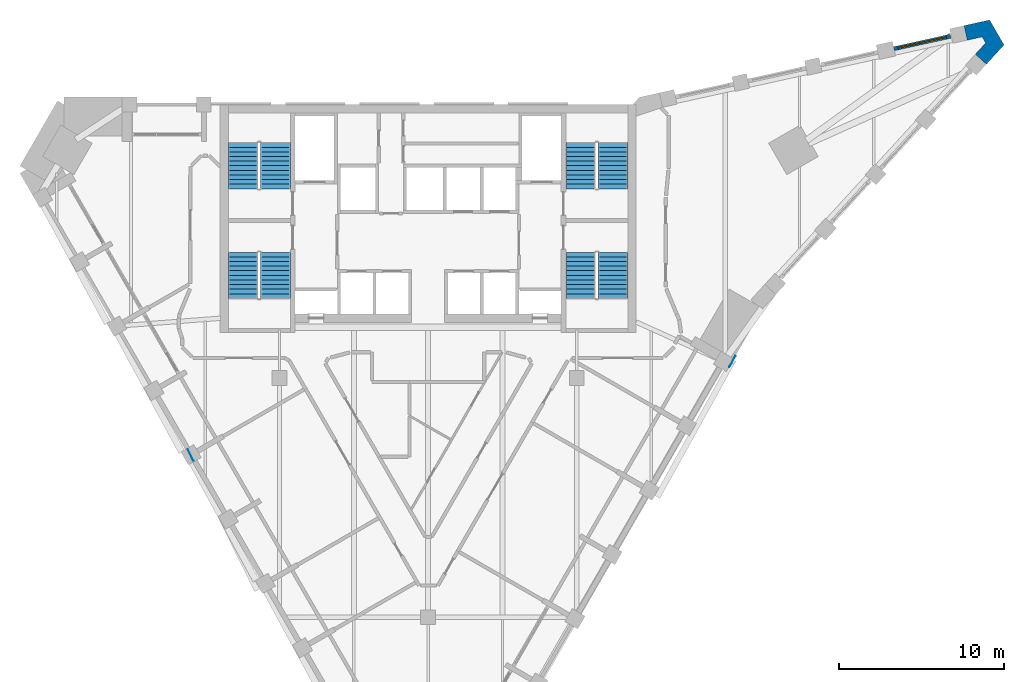
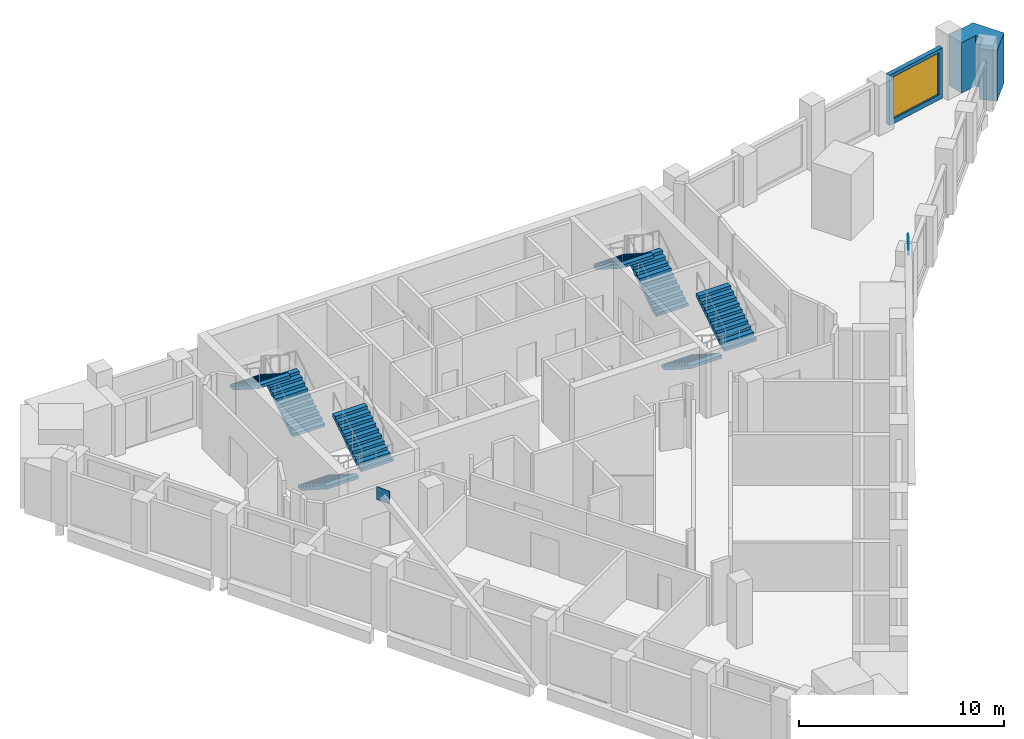
# One storey, part 7 of 8: 8 stair flights, 2 discrete accessories, 2 walls, 1 window, 1 opening, 4 elements without a shape of their own.
"""IFC4 building model written with IfcOpenShell, lengths in metres."""

from ifc_helpers import new_model, si_unit, direction, frame, frame_2d, origin, origin_2d, place, context, subcontext, project, spatial, polyline, rectangle, outline, extrude, faceted_brep, source, transform, mapped, material, layer, layer_set, type_object, element, fill, aggregate, save


model = new_model("IFC4")

# Units and contexts
model_context = context("Model", 3, precision=1e-05, world=origin(), true_north=direction((0.0, 1.0)))
body_context = subcontext(model_context, "Body", "Model", "MODEL_VIEW")
ifc_project = project(units=[si_unit("LENGTHUNIT", "METRE"), si_unit("AREAUNIT", "SQUARE_METRE"), si_unit("VOLUMEUNIT", "CUBIC_METRE"), si_unit("PLANEANGLEUNIT", "RADIAN"), si_unit("MASSUNIT", "GRAM", prefix="KILO")], contexts=[model_context])

# Site, building, storey
site_placement = place(None, origin())
site = spatial("IfcSite", under=ifc_project, at=site_placement, CompositionType="ELEMENT")
building_placement = place(site_placement, origin())
building = spatial("IfcBuilding", under=site, at=building_placement, Name="Calabash Gate Tower", CompositionType="ELEMENT")
storey_placement = place(building_placement, frame((0.0, 0.0, 263.800048828125)))
storey = spatial("IfcBuildingStorey", under=building, at=storey_placement, Name="L63", CompositionType="ELEMENT", Elevation=263.800048828125)

# Wall
ifc_material_1 = material(Name="Terracotta brick masonry, exposed face", Category="masonry")
ifc_layer_1 = layer(ifc_material_1, 0.89990234375)
ifc_layer_set_1 = layer_set([ifc_layer_1], Name="Brick end wall 900")
wall_type_1 = type_object("IfcWallType", Name="Brick end wall 900", PredefinedType="SOLIDWALL", material=ifc_layer_set_1)
wall_1_placement = place(storey_placement, origin())
element("IfcWall", 1, at=wall_1_placement, inside=storey, type_object=wall_type_1, Name="Brick end wall S18 2", PredefinedType="SOLIDWALL", context=body_context, shape_type="SweptSolid", body=[
    extrude(outline(polyline([(33.813720703125, 21.496337890625), (34.881591796875, 22.663818359375), (34.0087890625, 24.175048828125), (32.4638671875, 23.834228515625), (32.65771484375, 22.955322265625), (33.55908203125, 23.154296875), (33.7724609375, 22.78466796875), (33.149658203125, 22.103759765625), (33.813720703125, 21.496337890625)])), origin(), (0.0, 0.0, 1.0), 3.0),
])

# Wall, opening, window
ifc_material_2 = material(Name="Aluminium framed window wall with insulated spandrel", Category="aluminium")
ifc_layer_2 = layer(ifc_material_2, 0.25)
ifc_layer_set_2 = layer_set([ifc_layer_2], Name="Prow window wall 250")
wall_type_2 = type_object("IfcWallType", Name="Prow window wall 250", PredefinedType="ELEMENTEDWALL", material=ifc_layer_set_2)
wall_2_placement = place(storey_placement, frame((31.633056640625, 23.190185546875, 0.0), z_axis=(0.0, 0.0, 1.0), x_axis=(-0.976509313763, -0.215475196101, 0.0)))
wall_2 = element("IfcWall", 2, at=wall_2_placement, inside=storey, type_object=wall_type_2, Name="Prow window wall S18 wedge5.1", PredefinedType="ELEMENTEDWALL", context=body_context, shape_type="SweptSolid", body=[
    extrude(rectangle(XDim=3.5, YDim=0.25, at=frame_2d((1.75, 0.0))), origin(), (0.0, 0.0, 1.0), 3.0),
])
opening_placement = place(wall_2_placement, frame((0.25, 0.0, 0.300048828125)))
opening = element("IfcOpeningElement", 3, at=opening_placement, cuts=wall_2, Name="Opening WP2", PredefinedType="OPENING", context=body_context, shape_type="SweptSolid", body=[
    extrude(rectangle(XDim=3.0, YDim=2.5, at=frame_2d((1.5, 1.25))), frame((0.0, 0.135009765625, 0.0), z_axis=(0.0, -1.0, 0.0), x_axis=(1.0, 0.0, 0.0)), (0.0, 0.0, 1.0), 0.27001953125),
])
ifc_material_3 = material(Name="Anodised aluminium frame, bronze finish, impact-rated laminated clear glazing", Category="aluminium")
window_type = type_object("IfcWindowType", Name="Window WP2 3000x2500", PartitioningType="DOUBLE_PANEL_VERTICAL", PredefinedType="WINDOW", material=ifc_material_3)
window_placement = place(opening_placement, origin())
window = element("IfcWindow", 4, at=window_placement, inside=storey, type_object=window_type, Name="Prow window WP2 S18 wedge5.1", OverallHeight=2.5, OverallWidth=3.0, PartitioningType="SINGLE_PANEL", PredefinedType="WINDOW", context=body_context, shape_type="SweptSolid", body=[
    extrude(rectangle(XDim=3.0, YDim=2.5, at=frame_2d((1.5, 1.25))), frame((0.0, 0.030029296875, 0.0), z_axis=(0.0, -1.0, 0.0), x_axis=(1.0, 0.0, 0.0)), (0.0, 0.0, 1.0), 0.06005859375),
])
fill(opening, window)

# Stair, stair flights
ifc_material_4 = material(Name="Concrete C40/50", Category="concrete")
stair_type = type_object("IfcStairType", Name="Exit stair 22 risers of 177.3 mm", PredefinedType="HALF_TURN_STAIR", material=ifc_material_4)
stair_1_placement = place(storey_placement, origin())
stair_1 = element("IfcStair", 5, at=stair_1_placement, inside=storey, type_object=stair_type, Name="L63 Exit stair ST1", PredefinedType="HALF_TURN_STAIR")
ifc_material_5 = material(Name="Concrete C40/50", Category="concrete")
stair_flight_type = type_object("IfcStairFlightType", Name="Exit stair flight SFL", PredefinedType="STRAIGHT", material=ifc_material_5)
shared_shape = source(origin(), body_context, "Body", "Brep", [
    faceted_brep([(-0.0009765625, -0.89990234375, 0.0), (0.279541015625, -0.89990234375, 0.0), (2.791015625, -0.89990234375, 1.59521484375), (-0.0009765625, 0.89990234375, 0.0), (2.791015625, 0.89990234375, 1.59521484375), (0.279541015625, 0.89990234375, 0.0), (2.791015625, -0.89990234375, 1.78466796875), (2.7900390625, -0.89990234375, 1.78466796875), (2.7900390625, 0.89990234375, 1.78466796875), (2.791015625, 0.89990234375, 1.78466796875), (2.7900390625, -0.89990234375, 1.772705078125), (2.7900390625, 0.89990234375, 1.772705078125), (2.510986328125, -0.89990234375, 1.772705078125), (2.510986328125, 0.89990234375, 1.772705078125), (2.510986328125, -0.89990234375, 1.595458984375), (2.510986328125, 0.89990234375, 1.595458984375), (2.23193359375, -0.89990234375, 1.595458984375), (2.23193359375, 0.89990234375, 1.595458984375), (2.23193359375, -0.89990234375, 1.418212890625), (2.23193359375, 0.89990234375, 1.418212890625), (1.952880859375, -0.89990234375, 1.418212890625), (1.952880859375, -0.89990234375, 1.240966796875), (1.952880859375, 0.89990234375, 1.240966796875), (1.952880859375, 0.89990234375, 1.418212890625), (1.674072265625, -0.89990234375, 1.240966796875), (1.674072265625, -0.89990234375, 1.063720703125), (1.674072265625, 0.89990234375, 1.063720703125), (1.674072265625, 0.89990234375, 1.240966796875), (1.39501953125, -0.89990234375, 1.063720703125), (1.39501953125, -0.89990234375, 0.886474609375), (1.39501953125, 0.89990234375, 0.886474609375), (1.39501953125, 0.89990234375, 1.063720703125), (1.115966796875, -0.89990234375, 0.886474609375), (1.115966796875, -0.89990234375, 0.708984375), (1.115966796875, 0.89990234375, 0.708984375), (1.115966796875, 0.89990234375, 0.886474609375), (0.8369140625, -0.89990234375, 0.708984375), (0.8369140625, -0.89990234375, 0.53173828125), (0.8369140625, 0.89990234375, 0.53173828125), (0.8369140625, 0.89990234375, 0.708984375), (0.55810546875, -0.89990234375, 0.53173828125), (0.55810546875, -0.89990234375, 0.3544921875), (0.55810546875, 0.89990234375, 0.3544921875), (0.55810546875, 0.89990234375, 0.53173828125), (0.279052734375, -0.89990234375, 0.3544921875), (0.279052734375, -0.89990234375, 0.17724609375), (0.279052734375, 0.89990234375, 0.17724609375), (0.279052734375, 0.89990234375, 0.3544921875), (-0.0009765625, -0.89990234375, 0.17724609375), (-0.0009765625, 0.89990234375, 0.17724609375), (0.279541015625, -0.360107421875, 0.0), (2.791015625, -0.360107421875, 1.59521484375), (0.279541015625, 0.0, 0.0), (2.791015625, 0.0, 1.59521484375), (0.279541015625, 0.360107421875, 0.0), (2.791015625, 0.360107421875, 1.59521484375), (2.791015625, -0.360107421875, 1.78466796875), (2.791015625, 0.0, 1.78466796875), (2.791015625, 0.360107421875, 1.78466796875), (2.7900390625, -0.360107421875, 1.78466796875), (2.7900390625, 0.0, 1.78466796875), (2.7900390625, 0.360107421875, 1.78466796875), (2.7900390625, -0.360107421875, 1.772705078125), (2.7900390625, 0.0, 1.772705078125), (2.7900390625, 0.360107421875, 1.772705078125), (2.510986328125, -0.360107421875, 1.772705078125), (2.510986328125, 0.0, 1.772705078125), (2.510986328125, 0.360107421875, 1.772705078125), (2.510986328125, -0.360107421875, 1.595458984375), (2.510986328125, 0.0, 1.595458984375), (2.510986328125, 0.360107421875, 1.595458984375), (2.23193359375, -0.360107421875, 1.595458984375), (2.23193359375, 0.0, 1.595458984375), (2.23193359375, 0.360107421875, 1.595458984375), (2.23193359375, -0.360107421875, 1.418212890625), (2.23193359375, 0.0, 1.418212890625), (2.23193359375, 0.360107421875, 1.418212890625), (1.952880859375, -0.360107421875, 1.418212890625), (1.952880859375, 0.0, 1.418212890625), (1.952880859375, 0.360107421875, 1.418212890625), (1.952880859375, -0.360107421875, 1.240966796875), (1.952880859375, 0.0, 1.240966796875), (1.952880859375, 0.360107421875, 1.240966796875), (1.674072265625, -0.360107421875, 1.240966796875), (1.674072265625, 0.0, 1.240966796875), (1.674072265625, 0.360107421875, 1.240966796875), (1.674072265625, -0.360107421875, 1.063720703125), (1.674072265625, 0.0, 1.063720703125), (1.674072265625, 0.360107421875, 1.063720703125), (1.39501953125, -0.360107421875, 1.063720703125), (1.39501953125, 0.0, 1.063720703125), (1.39501953125, 0.360107421875, 1.063720703125), (1.39501953125, -0.360107421875, 0.886474609375), (1.39501953125, 0.0, 0.886474609375), (1.39501953125, 0.360107421875, 0.886474609375), (1.115966796875, -0.360107421875, 0.886474609375), (1.115966796875, 0.0, 0.886474609375), (1.115966796875, 0.360107421875, 0.886474609375), (1.115966796875, -0.360107421875, 0.708984375), (1.115966796875, 0.0, 0.708984375), (1.115966796875, 0.360107421875, 0.708984375), (0.8369140625, -0.360107421875, 0.708984375), (0.8369140625, 0.0, 0.708984375), (0.8369140625, 0.360107421875, 0.708984375), (0.8369140625, -0.360107421875, 0.53173828125), (0.8369140625, 0.0, 0.53173828125), (0.8369140625, 0.360107421875, 0.53173828125), (0.55810546875, -0.360107421875, 0.53173828125), (0.55810546875, 0.0, 0.53173828125), (0.55810546875, 0.360107421875, 0.53173828125), (0.55810546875, -0.360107421875, 0.3544921875), (0.55810546875, 0.0, 0.3544921875), (0.55810546875, 0.360107421875, 0.3544921875), (0.279052734375, -0.360107421875, 0.3544921875), (0.279052734375, 0.0, 0.3544921875), (0.279052734375, 0.360107421875, 0.3544921875), (0.279052734375, -0.360107421875, 0.17724609375), (0.279052734375, 0.0, 0.17724609375), (0.279052734375, 0.360107421875, 0.17724609375), (-0.0009765625, -0.360107421875, 0.17724609375), (-0.0009765625, 0.0, 0.17724609375), (-0.0009765625, 0.360107421875, 0.17724609375), (-0.0009765625, -0.360107421875, 0.0), (-0.0009765625, 0.0, 0.0), (-0.0009765625, 0.360107421875, 0.0)], [[[0, 1, 2]], [[3, 4, 5]], [[2, 6, 7]], [[4, 8, 9]], [[2, 7, 10]], [[4, 11, 8]], [[2, 10, 12]], [[4, 13, 11]], [[2, 12, 14]], [[4, 15, 13]], [[2, 14, 16]], [[4, 17, 15]], [[2, 16, 18]], [[4, 19, 17]], [[18, 20, 21]], [[19, 22, 23]], [[2, 18, 21]], [[4, 22, 19]], [[21, 24, 25]], [[22, 26, 27]], [[2, 21, 25]], [[4, 26, 22]], [[25, 28, 29]], [[26, 30, 31]], [[2, 25, 29]], [[4, 30, 26]], [[29, 32, 33]], [[30, 34, 35]], [[2, 29, 33]], [[4, 34, 30]], [[33, 36, 37]], [[34, 38, 39]], [[2, 33, 37]], [[4, 38, 34]], [[37, 40, 41]], [[38, 42, 43]], [[2, 37, 41]], [[4, 42, 38]], [[41, 44, 45]], [[42, 46, 47]], [[2, 41, 45]], [[4, 46, 42]], [[0, 2, 45]], [[3, 46, 4]], [[45, 48, 0]], [[46, 3, 49]], [[1, 50, 2]], [[50, 51, 2]], [[50, 52, 51]], [[52, 53, 51]], [[52, 54, 55]], [[52, 55, 53]], [[54, 5, 4]], [[54, 4, 55]], [[2, 51, 6]], [[51, 56, 6]], [[51, 53, 56]], [[53, 57, 56]], [[53, 55, 58]], [[53, 58, 57]], [[55, 4, 9]], [[55, 9, 58]], [[6, 56, 7]], [[56, 59, 7]], [[56, 57, 59]], [[57, 60, 59]], [[57, 58, 61]], [[57, 61, 60]], [[58, 9, 8]], [[58, 8, 61]], [[7, 59, 10]], [[59, 62, 10]], [[59, 60, 62]], [[60, 63, 62]], [[60, 61, 64]], [[60, 64, 63]], [[61, 8, 11]], [[61, 11, 64]], [[10, 62, 12]], [[62, 65, 12]], [[62, 63, 65]], [[63, 66, 65]], [[63, 64, 67]], [[63, 67, 66]], [[64, 11, 13]], [[64, 13, 67]], [[12, 65, 14]], [[65, 68, 14]], [[65, 66, 68]], [[66, 69, 68]], [[66, 67, 70]], [[66, 70, 69]], [[67, 13, 15]], [[67, 15, 70]], [[14, 68, 16]], [[68, 71, 16]], [[68, 69, 71]], [[69, 72, 71]], [[69, 70, 73]], [[69, 73, 72]], [[70, 15, 17]], [[70, 17, 73]], [[16, 71, 18]], [[71, 74, 18]], [[71, 72, 74]], [[72, 75, 74]], [[72, 73, 76]], [[72, 76, 75]], [[73, 17, 19]], [[73, 19, 76]], [[18, 74, 20]], [[74, 77, 20]], [[74, 75, 77]], [[75, 78, 77]], [[75, 76, 79]], [[75, 79, 78]], [[76, 19, 23]], [[76, 23, 79]], [[20, 77, 21]], [[77, 80, 21]], [[77, 78, 80]], [[78, 81, 80]], [[78, 79, 82]], [[78, 82, 81]], [[79, 23, 22]], [[79, 22, 82]], [[21, 80, 24]], [[80, 83, 24]], [[80, 81, 83]], [[81, 84, 83]], [[81, 82, 85]], [[81, 85, 84]], [[82, 22, 27]], [[82, 27, 85]], [[24, 83, 25]], [[83, 86, 25]], [[83, 84, 86]], [[84, 87, 86]], [[84, 85, 88]], [[84, 88, 87]], [[85, 27, 26]], [[85, 26, 88]], [[25, 86, 28]], [[86, 89, 28]], [[86, 87, 89]], [[87, 90, 89]], [[87, 88, 91]], [[87, 91, 90]], [[88, 26, 31]], [[88, 31, 91]], [[28, 89, 29]], [[89, 92, 29]], [[89, 90, 92]], [[90, 93, 92]], [[90, 91, 94]], [[90, 94, 93]], [[91, 31, 30]], [[91, 30, 94]], [[29, 92, 32]], [[92, 95, 32]], [[92, 93, 95]], [[93, 96, 95]], [[93, 94, 97]], [[93, 97, 96]], [[94, 30, 35]], [[94, 35, 97]], [[32, 95, 33]], [[95, 98, 33]], [[95, 96, 98]], [[96, 99, 98]], [[96, 97, 100]], [[96, 100, 99]], [[97, 35, 34]], [[97, 34, 100]], [[33, 98, 36]], [[98, 101, 36]], [[98, 99, 101]], [[99, 102, 101]], [[99, 100, 103]], [[99, 103, 102]], [[100, 34, 39]], [[100, 39, 103]], [[36, 101, 37]], [[101, 104, 37]], [[101, 102, 104]], [[102, 105, 104]], [[102, 103, 106]], [[102, 106, 105]], [[103, 39, 38]], [[103, 38, 106]], [[37, 104, 40]], [[104, 107, 40]], [[104, 105, 107]], [[105, 108, 107]], [[105, 106, 109]], [[105, 109, 108]], [[106, 38, 43]], [[106, 43, 109]], [[40, 107, 41]], [[107, 110, 41]], [[107, 108, 110]], [[108, 111, 110]], [[108, 109, 112]], [[108, 112, 111]], [[109, 43, 42]], [[109, 42, 112]], [[41, 110, 44]], [[110, 113, 44]], [[110, 111, 113]], [[111, 114, 113]], [[111, 112, 115]], [[111, 115, 114]], [[112, 42, 47]], [[112, 47, 115]], [[44, 113, 45]], [[113, 116, 45]], [[113, 114, 116]], [[114, 117, 116]], [[114, 115, 118]], [[114, 118, 117]], [[115, 47, 46]], [[115, 46, 118]], [[45, 116, 48]], [[116, 119, 48]], [[116, 117, 119]], [[117, 120, 119]], [[117, 118, 121]], [[117, 121, 120]], [[118, 46, 49]], [[118, 49, 121]], [[48, 119, 0]], [[119, 122, 0]], [[119, 120, 122]], [[120, 123, 122]], [[120, 121, 124]], [[120, 124, 123]], [[121, 49, 3]], [[121, 3, 124]], [[0, 122, 1]], [[122, 50, 1]], [[122, 123, 50]], [[123, 52, 50]], [[123, 124, 54]], [[123, 54, 52]], [[124, 3, 5]], [[124, 5, 54]]]),
])
stair_flight_1_placement = place(storey_placement, frame((-9.25, 13.95263671875, 0.0), z_axis=(0.0, 0.0, 1.0), x_axis=(0.0, 1.0, 0.0)))
stair_flight_1 = element("IfcStairFlight", 6, at=stair_flight_1_placement, type_object=stair_flight_type, Name="ST1 flight 1", NumberOfRisers=11, NumberOfTreads=10, PredefinedType="STRAIGHT", RiserHeight=0.177272727, TreadLength=0.279, context=body_context, shape_type="MappedRepresentation", body=[
    mapped(shared_shape, transform((0.0, 0.0, 0.0), scale=1.0)),
])
stair_flight_2_placement = place(storey_placement, frame((-11.199951171875, 16.74267578125, 1.949951171875), z_axis=(0.0, 0.0, 1.0), x_axis=(0.0, -1.0, 0.0)))
stair_flight_2 = element("IfcStairFlight", 7, at=stair_flight_2_placement, type_object=stair_flight_type, Name="ST1 flight 2", NumberOfRisers=11, NumberOfTreads=10, PredefinedType="STRAIGHT", RiserHeight=0.177272727, TreadLength=0.279, context=body_context, shape_type="MappedRepresentation", body=[
    mapped(shared_shape, transform((0.0, 0.0, 0.0), scale=1.0)),
])
aggregate(stair_1, [stair_flight_1, stair_flight_2])

stair_2_placement = place(storey_placement, origin())
stair_2 = element("IfcStair", 8, at=stair_2_placement, inside=storey, type_object=stair_type, Name="L63 Exit stair ST2", PredefinedType="HALF_TURN_STAIR")
stair_flight_3_placement = place(storey_placement, frame((-11.199951171875, 10.1025390625, 0.0), z_axis=(0.0, 0.0, 1.0), x_axis=(0.0, -1.0, 0.0)))
stair_flight_3 = element("IfcStairFlight", 9, at=stair_flight_3_placement, type_object=stair_flight_type, Name="ST2 flight 1", NumberOfRisers=11, NumberOfTreads=10, PredefinedType="STRAIGHT", RiserHeight=0.177272727, TreadLength=0.279, context=body_context, shape_type="MappedRepresentation", body=[
    mapped(shared_shape, transform((0.0, 0.0, 0.0), scale=1.0)),
])
stair_flight_4_placement = place(storey_placement, frame((-9.25, 7.3125, 1.949951171875), z_axis=(0.0, 0.0, 1.0), x_axis=(0.0, 1.0, 0.0)))
stair_flight_4 = element("IfcStairFlight", 10, at=stair_flight_4_placement, type_object=stair_flight_type, Name="ST2 flight 2", NumberOfRisers=11, NumberOfTreads=10, PredefinedType="STRAIGHT", RiserHeight=0.177272727, TreadLength=0.279, context=body_context, shape_type="MappedRepresentation", body=[
    mapped(shared_shape, transform((0.0, 0.0, 0.0), scale=1.0)),
])
aggregate(stair_2, [stair_flight_3, stair_flight_4])

stair_3_placement = place(storey_placement, origin())
stair_3 = element("IfcStair", 11, at=stair_3_placement, inside=storey, type_object=stair_type, Name="L63 Exit stair ST3", PredefinedType="HALF_TURN_STAIR")
stair_flight_5_placement = place(storey_placement, frame((11.199951171875, 13.95263671875, 0.0), z_axis=(0.0, 0.0, 1.0), x_axis=(0.0, 1.0, 0.0)))
stair_flight_5 = element("IfcStairFlight", 12, at=stair_flight_5_placement, type_object=stair_flight_type, Name="ST3 flight 1", NumberOfRisers=11, NumberOfTreads=10, PredefinedType="STRAIGHT", RiserHeight=0.177272727, TreadLength=0.279, context=body_context, shape_type="MappedRepresentation", body=[
    mapped(shared_shape, transform((0.0, 0.0, 0.0), scale=1.0)),
])
stair_flight_6_placement = place(storey_placement, frame((9.25, 16.74267578125, 1.949951171875), z_axis=(0.0, 0.0, 1.0), x_axis=(0.0, -1.0, 0.0)))
stair_flight_6 = element("IfcStairFlight", 13, at=stair_flight_6_placement, type_object=stair_flight_type, Name="ST3 flight 2", NumberOfRisers=11, NumberOfTreads=10, PredefinedType="STRAIGHT", RiserHeight=0.177272727, TreadLength=0.279, context=body_context, shape_type="MappedRepresentation", body=[
    mapped(shared_shape, transform((0.0, 0.0, 0.0), scale=1.0)),
])
aggregate(stair_3, [stair_flight_5, stair_flight_6])

stair_4_placement = place(storey_placement, origin())
stair_4 = element("IfcStair", 14, at=stair_4_placement, inside=storey, type_object=stair_type, Name="L63 Exit stair ST4", PredefinedType="HALF_TURN_STAIR")
stair_flight_7_placement = place(storey_placement, frame((9.25, 10.1025390625, 0.0), z_axis=(0.0, 0.0, 1.0), x_axis=(0.0, -1.0, 0.0)))
stair_flight_7 = element("IfcStairFlight", 15, at=stair_flight_7_placement, type_object=stair_flight_type, Name="ST4 flight 1", NumberOfRisers=11, NumberOfTreads=10, PredefinedType="STRAIGHT", RiserHeight=0.177272727, TreadLength=0.279, context=body_context, shape_type="MappedRepresentation", body=[
    mapped(shared_shape, transform((0.0, 0.0, 0.0), scale=1.0)),
])
stair_flight_8_placement = place(storey_placement, frame((11.199951171875, 7.3125, 1.949951171875), z_axis=(0.0, 0.0, 1.0), x_axis=(0.0, 1.0, 0.0)))
stair_flight_8 = element("IfcStairFlight", 16, at=stair_flight_8_placement, type_object=stair_flight_type, Name="ST4 flight 2", NumberOfRisers=11, NumberOfTreads=10, PredefinedType="STRAIGHT", RiserHeight=0.177272727, TreadLength=0.279, context=body_context, shape_type="MappedRepresentation", body=[
    mapped(shared_shape, transform((0.0, 0.0, 0.0), scale=1.0)),
])
aggregate(stair_4, [stair_flight_7, stair_flight_8])

# Discrete accessories
ifc_material_6 = material(Name="Steel ASTM A572 Gr50", Category="steel")
discrete_accessory_type = type_object("IfcDiscreteAccessoryType", Name="Connection plate 25", PredefinedType="BRACKET", material=ifc_material_6)
for number, where, z_axis, x_axis, name in (
    (17, (-14.389892578125, -2.177490234375, 7.41552734375), (0.0, 0.0, 1.0), (-0.4420102422, 0.897010003172, 0.0), "Connection plate Mega-brace SW Z5 39 end"),
    (18, (18.427978515625, 3.490966796875, 7.41552734375), (0.0, 0.0, 1.0), (0.484225641522, 0.874943157064, 0.0), "Connection plate Mega-brace SE Z5 44 end"),
):
    element("IfcDiscreteAccessory", number, at=place(storey_placement, frame(where, z_axis=z_axis, x_axis=x_axis)), inside=storey, type_object=discrete_accessory_type, Name=name, PredefinedType="BRACKET", context=body_context, shape_type="SweptSolid", body=[
        extrude(rectangle(XDim=0.76904296875, YDim=0.02490234375, at=origin_2d()), origin(), (0.0, 0.0, 1.0), 0.76904296875),
    ])

save(model, "model.ifc")
